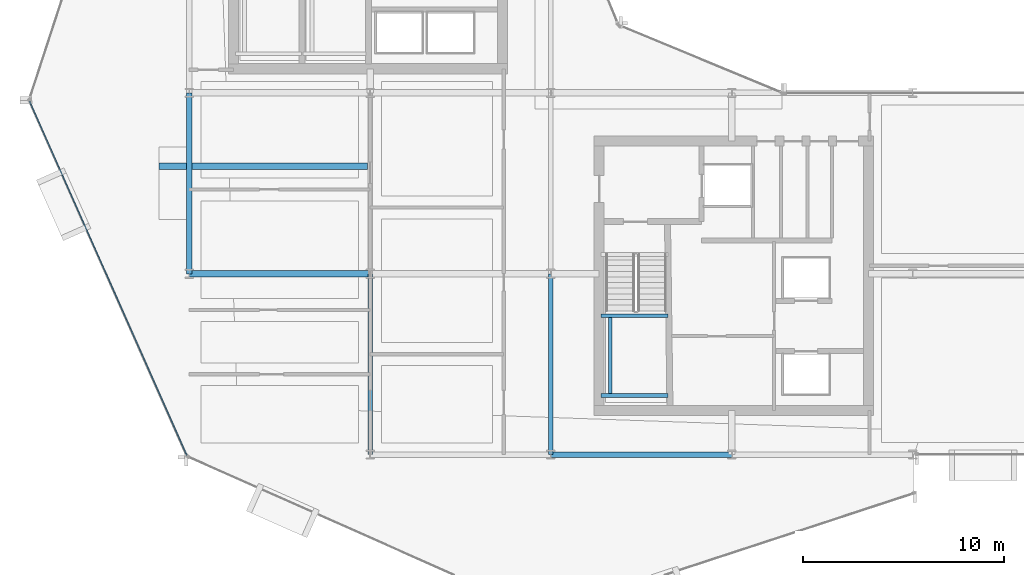
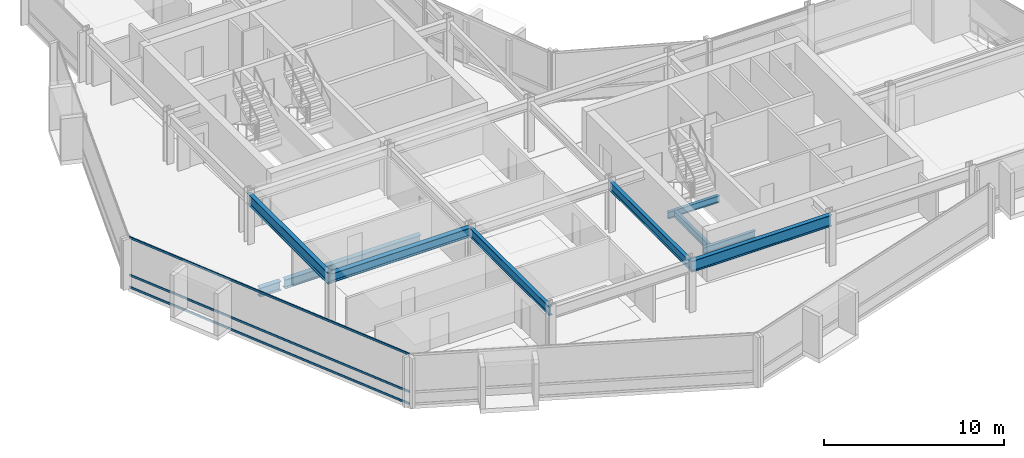
# One storey, part 5 of 28: 10 beams, 3 members, 1 element without a shape of its own.
"""IFC4 building model written with IfcOpenShell, lengths in metres."""

from ifc_helpers import new_model, si_unit, direction, frame, origin, origin_2d, place, context, subcontext, project, spatial, hollow_rectangle, i_section, extrude, material, layer, layer_set, material_profile, profile_set, type_object, element, aggregate, save


model = new_model("IFC4")

# Units and contexts
model_context = context("Model", 3, precision=1e-05, world=origin(), true_north=direction((0.0, 1.0)))
body_context = subcontext(model_context, "Body", "Model", "MODEL_VIEW")
ifc_project = project(units=[si_unit("LENGTHUNIT", "METRE"), si_unit("AREAUNIT", "SQUARE_METRE"), si_unit("VOLUMEUNIT", "CUBIC_METRE"), si_unit("PLANEANGLEUNIT", "RADIAN"), si_unit("MASSUNIT", "GRAM", prefix="KILO")], contexts=[model_context])

# Site, building, storey
site_placement = place(None, origin())
site = spatial("IfcSite", under=ifc_project, at=site_placement, CompositionType="ELEMENT")
building_placement = place(site_placement, origin())
building = spatial("IfcBuilding", under=site, at=building_placement, Name="Solvaryn Broadcast Tower", CompositionType="ELEMENT")
storey_placement = place(building_placement, frame((0.0, 0.0, 132.199951171875)))
storey = spatial("IfcBuildingStorey", under=building, at=storey_placement, Name="L32", CompositionType="ELEMENT", Elevation=132.199951171875)

# Beams
ifc_material_1 = material(Name="Steel ASTM A992 Grade 50", Category="steel")
ifc_material_profile_1 = material_profile(ifc_material_1, i_section(OverallWidth=0.323974609375, OverallDepth=0.611083984375, WebThickness=0.0126953125, FlangeThickness=0.01904296875, FilletRadius=0.014892578125, at=origin_2d()))
ifc_profile_set_1 = profile_set([ifc_material_profile_1], Name="Steel ASTM A992 Grade 50")
beam_type_1 = type_object("IfcBeamType", Name="BM-B1-W24X104", PredefinedType="BEAM", material=ifc_profile_set_1)
beam_1_placement = place(storey_placement, frame((17.875, 23.35009765625, -0.58544921875), z_axis=(-1.0, 0.0, 0.0), x_axis=(0.0, -1.0, 0.0)))
element("IfcBeam", 1, at=beam_1_placement, inside=storey, type_object=beam_type_1, Name="L32 Bay-Box Back-Span Beam 1", PredefinedType="BEAM", context=body_context, shape_type="SweptSolid", body=[
    extrude(i_section(OverallWidth=0.323974609375, OverallDepth=0.611083984375, WebThickness=0.0126953125, FlangeThickness=0.01904296875, FilletRadius=0.014892578125, at=origin_2d()), origin(), (0.0, 0.0, 1.0), 8.75),
])
beam_2_placement = place(storey_placement, frame((9.0, 18.0, 3.114501953125), z_axis=(1.0, 0.0, 0.0), x_axis=(0.0, 1.0, 0.0)))
element("IfcBeam", 2, at=beam_2_placement, inside=storey, type_object=beam_type_1, Name="L32 Primary Beam X (9-18 @ Y=18)", PredefinedType="BEAM", context=body_context, shape_type="SweptSolid", body=[
    extrude(i_section(OverallWidth=0.323974609375, OverallDepth=0.611083984375, WebThickness=0.0126953125, FlangeThickness=0.01904296875, FilletRadius=0.014892578125, at=origin_2d()), origin(), (0.0, 0.0, 1.0), 9.0),
])
ifc_material_2 = material(Name="Steel ASTM A992 Grade 50", Category="steel")
ifc_material_profile_2 = material_profile(ifc_material_2, i_section(OverallWidth=0.22802734375, OverallDepth=0.60791015625, WebThickness=0.01123046875, FlangeThickness=0.017333984375, FilletRadius=0.014892578125, at=origin_2d()))
ifc_profile_set_2 = profile_set([ifc_material_profile_2], Name="Steel ASTM A992 Grade 50")
beam_type_2 = type_object("IfcBeamType", Name="BM-B2-W24X76", PredefinedType="BEAM", material=ifc_profile_set_2)
for number, where, z_axis, x_axis, name in (
    (3, (18.0, 9.0, 3.115966796875), (0.0, 1.0, 0.0), (-1.0, 0.0, 0.0), "L32 Primary Beam Y (9-18 @ X=18)"),
    (4, (27.0, 9.0, 3.115966796875), (0.0, 1.0, 0.0), (-1.0, 0.0, 0.0), "L32 Primary Beam Y (9-18 @ X=27)"),
):
    element("IfcBeam", number, at=place(storey_placement, frame(where, z_axis=z_axis, x_axis=x_axis)), inside=storey, type_object=beam_type_2, Name=name, PredefinedType="BEAM", context=body_context, shape_type="SweptSolid", body=[
        extrude(i_section(OverallWidth=0.22802734375, OverallDepth=0.60791015625, WebThickness=0.01123046875, FlangeThickness=0.017333984375, FilletRadius=0.014892578125, at=origin_2d()), origin(), (0.0, 0.0, 1.0), 9.0),
    ])
ifc_material_3 = material(Name="Steel ASTM A992 Grade 50", Category="steel")
ifc_material_profile_3 = material_profile(ifc_material_3, i_section(OverallWidth=0.18994140625, OverallDepth=0.45703125, WebThickness=0.009033203125, FlangeThickness=0.014404296875, FilletRadius=0.011962890625, at=origin_2d()))
ifc_profile_set_3 = profile_set([ifc_material_profile_3], Name="Steel ASTM A992 Grade 50")
beam_type_3 = type_object("IfcBeamType", Name="BM-B4-W18X50", PredefinedType="BEAM", material=ifc_profile_set_3)
for number, where, z_axis, x_axis, name in (
    (5, (29.5, 11.949951171875, 1.421630859375), (1.0, 0.0, 0.0), (0.0, 1.0, 0.0), "L32 ST3 Landing Support Beam 1A"),
    (6, (29.5, 15.909912109375, 1.421630859375), (1.0, 0.0, 0.0), (0.0, 1.0, 0.0), "L32 ST3 Landing Support Beam 1B"),
):
    element("IfcBeam", number, at=place(storey_placement, frame(where, z_axis=z_axis, x_axis=x_axis)), inside=storey, type_object=beam_type_3, Name=name, PredefinedType="BEAM", context=body_context, shape_type="SweptSolid", body=[
        extrude(i_section(OverallWidth=0.18994140625, OverallDepth=0.45703125, WebThickness=0.009033203125, FlangeThickness=0.014404296875, FilletRadius=0.011962890625, at=origin_2d()), origin(), (0.0, 0.0, 1.0), 3.320068359375),
    ])
beam_3_placement = place(storey_placement, frame((29.949951171875, 11.949951171875, 1.421630859375), z_axis=(0.0, 1.0, 0.0), x_axis=(-1.0, 0.0, 0.0)))
element("IfcBeam", 7, at=beam_3_placement, inside=storey, type_object=beam_type_3, Name="L32 ST3 Landing Cross Stringer 1C", PredefinedType="BEAM", context=body_context, shape_type="SweptSolid", body=[
    extrude(i_section(OverallWidth=0.18994140625, OverallDepth=0.45703125, WebThickness=0.009033203125, FlangeThickness=0.014404296875, FilletRadius=0.011962890625, at=origin_2d()), origin(), (0.0, 0.0, 1.0), 3.9599609375),
])
ifc_material_4 = material(Name="Steel ASTM A992 Grade 50", Category="steel")
ifc_material_profile_4 = material_profile(ifc_material_4, i_section(OverallWidth=0.323974609375, OverallDepth=0.611083984375, WebThickness=0.0126953125, FlangeThickness=0.01904296875, FilletRadius=0.014892578125, at=origin_2d()))
ifc_profile_set_4 = profile_set([ifc_material_profile_4], Name="Steel ASTM A992 Grade 50")
beam_type_4 = type_object("IfcBeamType", Name="BM-CANT-TER", PredefinedType="BEAM", material=ifc_profile_set_4)
beam_4_placement = place(storey_placement, frame((8.875, 23.35009765625, -0.58544921875), z_axis=(-1.0, 0.0, 0.0), x_axis=(0.0, -1.0, 0.0)))
element("IfcBeam", 8, at=beam_4_placement, inside=storey, type_object=beam_type_4, Name="L32 Bay-Box Cantilever Bracket 1", PredefinedType="BEAM", context=body_context, shape_type="SweptSolid", body=[
    extrude(i_section(OverallWidth=0.323974609375, OverallDepth=0.611083984375, WebThickness=0.0126953125, FlangeThickness=0.01904296875, FilletRadius=0.014892578125, at=origin_2d()), origin(), (0.0, 0.0, 1.0), 1.375),
])
ifc_material_5 = material(Name="Steel ASTM A992 Grade 50", Category="steel")
ifc_material_profile_5 = material_profile(ifc_material_5, i_section(OverallWidth=0.26708984375, OverallDepth=0.76611328125, WebThickness=0.014892578125, FlangeThickness=0.023681640625, FilletRadius=0.01806640625, at=origin_2d()))
ifc_profile_set_5 = profile_set([ifc_material_profile_5], Name="Steel ASTM A992 Grade 50")
beam_type_5 = type_object("IfcBeamType", Name="BM-SP2-W30X124", PredefinedType="USERDEFINED", material=ifc_profile_set_5)
for number, where, z_axis, x_axis, name in (
    (9, (27.0, 9.0, 3.037109375), (1.0, 0.0, 0.0), (0.0, 1.0, 0.0), "L32 Spandrel Beam X (27-36 @ Y=9)"),
    (10, (9.0, 18.0, 3.037109375), (0.0, 1.0, 0.0), (-1.0, 0.0, 0.0), "L32 Spandrel Beam Y (18-27 @ X=9)"),
):
    element("IfcBeam", number, at=place(storey_placement, frame(where, z_axis=z_axis, x_axis=x_axis)), inside=storey, type_object=beam_type_5, Name=name, ObjectType="SPANDREL", PredefinedType="USERDEFINED", context=body_context, shape_type="SweptSolid", body=[
        extrude(i_section(OverallWidth=0.26708984375, OverallDepth=0.76611328125, WebThickness=0.014892578125, FlangeThickness=0.023681640625, FilletRadius=0.01806640625, at=origin_2d()), origin(), (0.0, 0.0, 1.0), 9.0),
    ])

# Curtain wall, members
ifc_material_6 = material(Name="Aluminium and Terracotta Unitised Curtain Wall", Category="masonry")
ifc_layer = layer(ifc_material_6, 0.199951171875)
ifc_layer_set = layer_set([ifc_layer], Name="CW-SYS2-LOWMID")
curtain_wall_type = type_object("IfcCurtainWallType", Name="CW-SYS2-LOWMID", PredefinedType="NOTDEFINED", material=ifc_layer_set)
curtain_wall_placement = place(storey_placement, origin())
curtain_wall = element("IfcCurtainWall", 11, at=curtain_wall_placement, inside=storey, type_object=curtain_wall_type, Name="L32 Curtain Wall DR2", PredefinedType="NOTDEFINED")
ifc_material_7 = material(Name="Anodised Aluminium 6063-T6", Category="aluminium")
ifc_material_profile_6 = material_profile(ifc_material_7, hollow_rectangle(XDim=0.06494140625, YDim=0.14990234375, WallThickness=0.00390625, InnerFilletRadius=0.00390625, OuterFilletRadius=0.008056640625, at=origin_2d()))
ifc_profile_set_6 = profile_set([ifc_material_profile_6], Name="Anodised Aluminium 6063-T6")
member_type = type_object("IfcMemberType", Name="CW-TRN-150", PredefinedType="USERDEFINED", material=ifc_profile_set_6)
member_1_placement = place(storey_placement, frame((1.058349609375, 26.5810546875, 0.030029296875), z_axis=(0.405917546252, -0.913909703223, 0.0), x_axis=(0.913909703223, 0.405917546252, 0.0)))
member_1 = element("IfcMember", 12, at=member_1_placement, type_object=member_type, Name="CWS2 transom 1.1", ObjectType="TRANSOM", PredefinedType="USERDEFINED", context=body_context, shape_type="SweptSolid", body=[
    extrude(hollow_rectangle(XDim=0.06494140625, YDim=0.14990234375, WallThickness=0.00390625, InnerFilletRadius=0.00390625, OuterFilletRadius=0.008056640625, at=origin_2d()), origin(), (0.0, 0.0, 1.0), 19.27783203125),
])
member_2_placement = place(storey_placement, frame((1.058349609375, 26.5810546875, 0.85009765625), z_axis=(0.405917546252, -0.913909703223, 0.0), x_axis=(0.913909703223, 0.405917546252, 0.0)))
member_2 = element("IfcMember", 13, at=member_2_placement, type_object=member_type, Name="CWS2 transom 1.2", ObjectType="TRANSOM", PredefinedType="USERDEFINED", context=body_context, shape_type="SweptSolid", body=[
    extrude(hollow_rectangle(XDim=0.06494140625, YDim=0.14990234375, WallThickness=0.00390625, InnerFilletRadius=0.00390625, OuterFilletRadius=0.008056640625, at=origin_2d()), origin(), (0.0, 0.0, 1.0), 19.27783203125),
])
member_3_placement = place(storey_placement, frame((1.058349609375, 26.5810546875, 3.39013671875), z_axis=(0.405917546252, -0.913909703223, 0.0), x_axis=(0.913909703223, 0.405917546252, 0.0)))
member_3 = element("IfcMember", 14, at=member_3_placement, type_object=member_type, Name="CWS2 transom 1.3", ObjectType="TRANSOM", PredefinedType="USERDEFINED", context=body_context, shape_type="SweptSolid", body=[
    extrude(hollow_rectangle(XDim=0.06494140625, YDim=0.14990234375, WallThickness=0.00390625, InnerFilletRadius=0.00390625, OuterFilletRadius=0.008056640625, at=origin_2d()), origin(), (0.0, 0.0, 1.0), 19.27783203125),
])
aggregate(curtain_wall, [member_1, member_2, member_3])

save(model, "model.ifc")
